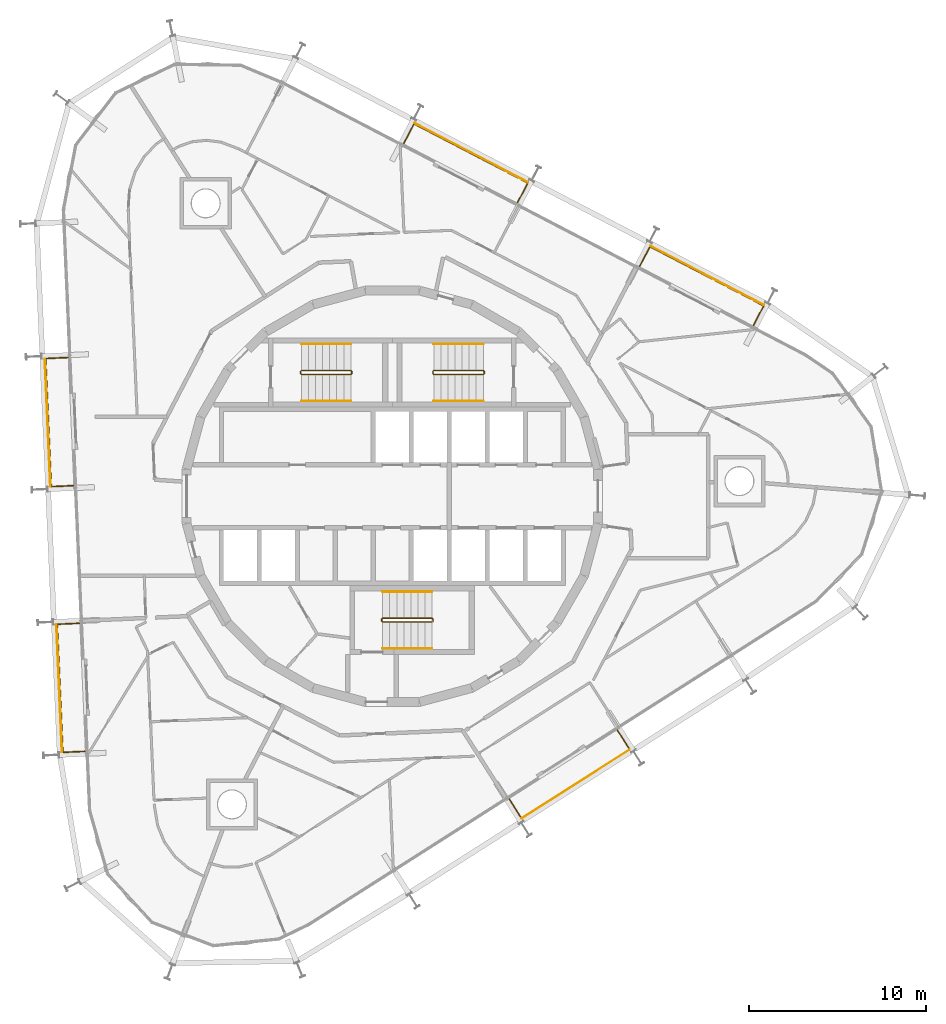
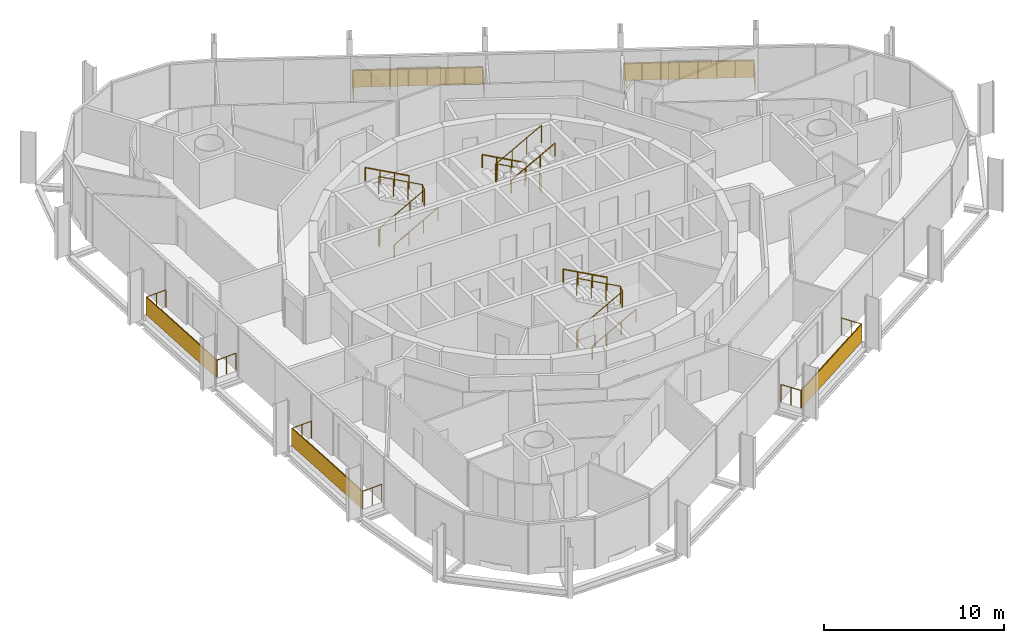
# One storey, part 18 of 18: 14 railings, 5 shading devices.
"""IFC4 building model written with IfcOpenShell, lengths in metres."""

from ifc_helpers import new_model, si_unit, direction, frame, origin, origin_2d, place, context, subcontext, project, spatial, rectangle, circle, extrude, material, layer, layer_set, type_object, element, save


model = new_model("IFC4")

# Units and contexts
model_context = context("Model", 3, precision=1e-05, world=origin(), true_north=direction((0.0, 1.0)))
body_context = subcontext(model_context, "Body", "Model", "MODEL_VIEW")
ifc_project = project(units=[si_unit("LENGTHUNIT", "METRE"), si_unit("AREAUNIT", "SQUARE_METRE"), si_unit("VOLUMEUNIT", "CUBIC_METRE"), si_unit("PLANEANGLEUNIT", "RADIAN"), si_unit("MASSUNIT", "GRAM", prefix="KILO")], contexts=[model_context])

# Site, building, storey
site_placement = place(None, origin())
site = spatial("IfcSite", under=ifc_project, at=site_placement, CompositionType="ELEMENT")
building_placement = place(site_placement, origin())
building = spatial("IfcBuilding", under=site, at=building_placement, Name="Spindle Arch Residences", CompositionType="ELEMENT")
storey_placement = place(building_placement, frame((0.0, 0.0, 251.199951171875)))
storey = spatial("IfcBuildingStorey", under=building, at=storey_placement, Name="L64", CompositionType="ELEMENT", Elevation=251.199951171875)

# Railings
ifc_material_1 = material(Name="Bronze anodised aluminium guard with glass infill", Category="aluminium")
railing_type_1 = type_object("IfcRailingType", Name="Balcony guard 1200", PredefinedType="GUARDRAIL", material=ifc_material_1)
railing_1_placement = place(storey_placement, frame((20.4482421875, 9.675537109375, 0.0)))
element("IfcRailing", 1, at=railing_1_placement, inside=storey, type_object=railing_type_1, Name="Guard L64 bay 6", PredefinedType="GUARDRAIL", context=body_context, shape_type="SweptSolid", body=[
    extrude(circle(Radius=0.02392578125, at=origin_2d()), frame((0.0, 0.0, 1.17578125), z_axis=(0.461684760331, 0.887044069975, 0.0), x_axis=(-0.887044069975, 0.461684760331, 0.0)), (0.0, 0.0, 1.0), 1.25),
    extrude(circle(Radius=0.02392578125, at=origin_2d()), frame((0.5771484375, 1.10888671875, 1.17578125), z_axis=(-0.887010793131, 0.461748690165, 0.0), x_axis=(-0.461748690165, -0.887010793131, 0.0)), (0.0, 0.0, 1.0), 7.260009765625),
    extrude(circle(Radius=0.02392578125, at=origin_2d()), frame((-5.862548828125, 4.461181640625, 1.17578125), z_axis=(-0.461764753675, -0.887002430811, 0.0), x_axis=(0.887002430811, -0.461764753675, 0.0)), (0.0, 0.0, 1.0), 1.249755859375),
    extrude(circle(Radius=0.02099609375, at=origin_2d()), origin(), (0.0, 0.0, 1.0), 1.15185546875),
    extrude(circle(Radius=0.02099609375, at=origin_2d()), frame((0.28857421875, 0.554443359375, 0.0)), (0.0, 0.0, 1.0), 1.15185546875),
    extrude(circle(Radius=0.02099609375, at=origin_2d()), frame((0.5771484375, 1.10888671875, 0.0)), (0.0, 0.0, 1.0), 1.15185546875),
    extrude(circle(Radius=0.02099609375, at=origin_2d()), frame((-0.3427734375, 1.587890625, 0.0)), (0.0, 0.0, 1.0), 1.15185546875),
    extrude(circle(Radius=0.02099609375, at=origin_2d()), frame((-1.2626953125, 2.066650390625, 0.0)), (0.0, 0.0, 1.0), 1.15185546875),
    extrude(circle(Radius=0.02099609375, at=origin_2d()), frame((-2.1826171875, 2.545654296875, 0.0)), (0.0, 0.0, 1.0), 1.15185546875),
    extrude(circle(Radius=0.02099609375, at=origin_2d()), frame((-3.102783203125, 3.0244140625, 0.0)), (0.0, 0.0, 1.0), 1.15185546875),
    extrude(circle(Radius=0.02099609375, at=origin_2d()), frame((-4.022705078125, 3.50341796875, 0.0)), (0.0, 0.0, 1.0), 1.15185546875),
    extrude(circle(Radius=0.02099609375, at=origin_2d()), frame((-4.942626953125, 3.982177734375, 0.0)), (0.0, 0.0, 1.0), 1.15185546875),
    extrude(circle(Radius=0.02099609375, at=origin_2d()), frame((-5.862548828125, 4.461181640625, 0.0)), (0.0, 0.0, 1.0), 1.15185546875),
    extrude(circle(Radius=0.02099609375, at=origin_2d()), frame((-6.151123046875, 3.90673828125, 0.0)), (0.0, 0.0, 1.0), 1.15185546875),
    extrude(circle(Radius=0.02099609375, at=origin_2d()), frame((-6.439697265625, 3.3525390625, 0.0)), (0.0, 0.0, 1.0), 1.15185546875),
])
railing_2_placement = place(storey_placement, frame((7.08984375, 16.629638671875, 0.0)))
element("IfcRailing", 2, at=railing_2_placement, inside=storey, type_object=railing_type_1, Name="Guard L64 bay 8", PredefinedType="GUARDRAIL", context=body_context, shape_type="SweptSolid", body=[
    extrude(circle(Radius=0.02392578125, at=origin_2d()), frame((0.0, 0.0, 1.17578125), z_axis=(0.461764753675, 0.887002430811, 0.0), x_axis=(-0.887002430811, 0.461764753675, 0.0)), (0.0, 0.0, 1.0), 1.249755859375),
    extrude(circle(Radius=0.02392578125, at=origin_2d()), frame((0.5771484375, 1.108642578125, 1.17578125), z_axis=(-0.886997019648, 0.461775147811, 0.0), x_axis=(-0.461775147811, -0.886997019648, 0.0)), (0.0, 0.0, 1.0), 7.260009765625),
    extrude(circle(Radius=0.02392578125, at=origin_2d()), frame((-5.862548828125, 4.461181640625, 1.17578125), z_axis=(-0.461838409324, -0.886964082516, 0.0), x_axis=(0.886964082516, -0.461838409324, 0.0)), (0.0, 0.0, 1.0), 1.250244140625),
    extrude(circle(Radius=0.02099609375, at=origin_2d()), origin(), (0.0, 0.0, 1.0), 1.15185546875),
    extrude(circle(Radius=0.02099609375, at=origin_2d()), frame((0.28857421875, 0.55419921875, 0.0)), (0.0, 0.0, 1.0), 1.15185546875),
    extrude(circle(Radius=0.02099609375, at=origin_2d()), frame((0.5771484375, 1.108642578125, 0.0)), (0.0, 0.0, 1.0), 1.15185546875),
    extrude(circle(Radius=0.02099609375, at=origin_2d()), frame((-0.3427734375, 1.587646484375, 0.0)), (0.0, 0.0, 1.0), 1.15185546875),
    extrude(circle(Radius=0.02099609375, at=origin_2d()), frame((-1.2626953125, 2.06640625, 0.0)), (0.0, 0.0, 1.0), 1.15185546875),
    extrude(circle(Radius=0.02099609375, at=origin_2d()), frame((-2.1826171875, 2.54541015625, 0.0)), (0.0, 0.0, 1.0), 1.15185546875),
    extrude(circle(Radius=0.02099609375, at=origin_2d()), frame((-3.102783203125, 3.0244140625, 0.0)), (0.0, 0.0, 1.0), 1.15185546875),
    extrude(circle(Radius=0.02099609375, at=origin_2d()), frame((-4.022705078125, 3.50341796875, 0.0)), (0.0, 0.0, 1.0), 1.15185546875),
    extrude(circle(Radius=0.02099609375, at=origin_2d()), frame((-4.942626953125, 3.982177734375, 0.0)), (0.0, 0.0, 1.0), 1.15185546875),
    extrude(circle(Radius=0.02099609375, at=origin_2d()), frame((-5.862548828125, 4.461181640625, 0.0)), (0.0, 0.0, 1.0), 1.15185546875),
    extrude(circle(Radius=0.02099609375, at=origin_2d()), frame((-6.1513671875, 3.90673828125, 0.0)), (0.0, 0.0, 1.0), 1.15185546875),
    extrude(circle(Radius=0.02099609375, at=origin_2d()), frame((-6.43994140625, 3.352294921875, 0.0)), (0.0, 0.0, 1.0), 1.15185546875),
])
railing_3_placement = place(storey_placement, frame((-18.384521484375, 7.855712890625, 0.0)))
element("IfcRailing", 3, at=railing_3_placement, inside=storey, type_object=railing_type_1, Name="Guard L64 bay 14", PredefinedType="GUARDRAIL", context=body_context, shape_type="SweptSolid", body=[
    extrude(circle(Radius=0.02392578125, at=origin_2d()), frame((0.0, 0.0, 1.17578125), z_axis=(-0.999042473849, -0.043750833654, 0.0), x_axis=(0.043750833654, -0.999042473849, 0.0)), (0.0, 0.0, 1.0), 1.25),
    extrude(circle(Radius=0.02392578125, at=origin_2d()), frame((-1.248779296875, -0.0546875, 1.17578125), z_axis=(0.043615260597, -0.999048401752, 0.0), x_axis=(0.999048401752, 0.043615260597, 0.0)), (0.0, 0.0, 1.0), 7.260009765625),
    extrude(circle(Radius=0.02392578125, at=origin_2d()), frame((-0.93212890625, -7.307861328125, 1.17578125), z_axis=(0.999042473849, 0.043750833654, 0.0), x_axis=(-0.043750833654, 0.999042473849, 0.0)), (0.0, 0.0, 1.0), 1.25),
    extrude(circle(Radius=0.02099609375, at=origin_2d()), origin(), (0.0, 0.0, 1.0), 1.15185546875),
    extrude(circle(Radius=0.02099609375, at=origin_2d()), frame((-0.62451171875, -0.02734375, 0.0)), (0.0, 0.0, 1.0), 1.15185546875),
    extrude(circle(Radius=0.02099609375, at=origin_2d()), frame((-1.248779296875, -0.0546875, 0.0)), (0.0, 0.0, 1.0), 1.15185546875),
    extrude(circle(Radius=0.02099609375, at=origin_2d()), frame((-1.20361328125, -1.0908203125, 0.0)), (0.0, 0.0, 1.0), 1.15185546875),
    extrude(circle(Radius=0.02099609375, at=origin_2d()), frame((-1.158203125, -2.126953125, 0.0)), (0.0, 0.0, 1.0), 1.15185546875),
    extrude(circle(Radius=0.02099609375, at=origin_2d()), frame((-1.113037109375, -3.1630859375, 0.0)), (0.0, 0.0, 1.0), 1.15185546875),
    extrude(circle(Radius=0.02099609375, at=origin_2d()), frame((-1.06787109375, -4.199462890625, 0.0)), (0.0, 0.0, 1.0), 1.15185546875),
    extrude(circle(Radius=0.02099609375, at=origin_2d()), frame((-1.022705078125, -5.235595703125, 0.0)), (0.0, 0.0, 1.0), 1.15185546875),
    extrude(circle(Radius=0.02099609375, at=origin_2d()), frame((-0.977294921875, -6.271728515625, 0.0)), (0.0, 0.0, 1.0), 1.15185546875),
    extrude(circle(Radius=0.02099609375, at=origin_2d()), frame((-0.93212890625, -7.307861328125, 0.0)), (0.0, 0.0, 1.0), 1.15185546875),
    extrude(circle(Radius=0.02099609375, at=origin_2d()), frame((-0.3076171875, -7.280517578125, 0.0)), (0.0, 0.0, 1.0), 1.15185546875),
    extrude(circle(Radius=0.02099609375, at=origin_2d()), frame((0.316650390625, -7.253173828125, 0.0)), (0.0, 0.0, 1.0), 1.15185546875),
])
railing_4_placement = place(storey_placement, frame((-17.7275390625, -7.190185546875, 0.0)))
element("IfcRailing", 4, at=railing_4_placement, inside=storey, type_object=railing_type_1, Name="Guard L64 bay 16", PredefinedType="GUARDRAIL", context=body_context, shape_type="SweptSolid", body=[
    extrude(circle(Radius=0.02392578125, at=origin_2d()), frame((0.0, 0.0, 1.17578125), z_axis=(-0.999050991967, -0.043555888799, 0.0), x_axis=(0.043555888799, -0.999050991967, 0.0)), (0.0, 0.0, 1.0), 1.25),
    extrude(circle(Radius=0.02392578125, at=origin_2d()), frame((-1.248779296875, -0.054443359375, 1.17578125), z_axis=(0.043615260597, -0.999048401752, 0.0), x_axis=(0.999048401752, 0.043615260597, 0.0)), (0.0, 0.0, 1.0), 7.260009765625),
    extrude(circle(Radius=0.02392578125, at=origin_2d()), frame((-0.93212890625, -7.3076171875, 1.17578125), z_axis=(0.999050991967, 0.043555888799, 0.0), x_axis=(-0.043555888799, 0.999050991967, 0.0)), (0.0, 0.0, 1.0), 1.25),
    extrude(circle(Radius=0.02099609375, at=origin_2d()), origin(), (0.0, 0.0, 1.0), 1.15185546875),
    extrude(circle(Radius=0.02099609375, at=origin_2d()), frame((-0.62451171875, -0.02734375, 0.0)), (0.0, 0.0, 1.0), 1.15185546875),
    extrude(circle(Radius=0.02099609375, at=origin_2d()), frame((-1.248779296875, -0.054443359375, 0.0)), (0.0, 0.0, 1.0), 1.15185546875),
    extrude(circle(Radius=0.02099609375, at=origin_2d()), frame((-1.20361328125, -1.090576171875, 0.0)), (0.0, 0.0, 1.0), 1.15185546875),
    extrude(circle(Radius=0.02099609375, at=origin_2d()), frame((-1.158203125, -2.126708984375, 0.0)), (0.0, 0.0, 1.0), 1.15185546875),
    extrude(circle(Radius=0.02099609375, at=origin_2d()), frame((-1.113037109375, -3.162841796875, 0.0)), (0.0, 0.0, 1.0), 1.15185546875),
    extrude(circle(Radius=0.02099609375, at=origin_2d()), frame((-1.06787109375, -4.19921875, 0.0)), (0.0, 0.0, 1.0), 1.15185546875),
    extrude(circle(Radius=0.02099609375, at=origin_2d()), frame((-1.022705078125, -5.2353515625, 0.0)), (0.0, 0.0, 1.0), 1.15185546875),
    extrude(circle(Radius=0.02099609375, at=origin_2d()), frame((-0.977294921875, -6.271484375, 0.0)), (0.0, 0.0, 1.0), 1.15185546875),
    extrude(circle(Radius=0.02099609375, at=origin_2d()), frame((-0.93212890625, -7.3076171875, 0.0)), (0.0, 0.0, 1.0), 1.15185546875),
    extrude(circle(Radius=0.02099609375, at=origin_2d()), frame((-0.3076171875, -7.2802734375, 0.0)), (0.0, 0.0, 1.0), 1.15185546875),
    extrude(circle(Radius=0.02099609375, at=origin_2d()), frame((0.316650390625, -7.253173828125, 0.0)), (0.0, 0.0, 1.0), 1.15185546875),
])
railing_5_placement = place(storey_placement, frame((6.623046875, -17.152099609375, 0.0)))
element("IfcRailing", 5, at=railing_5_placement, inside=storey, type_object=railing_type_1, Name="Guard L64 bay 22", PredefinedType="GUARDRAIL", context=body_context, shape_type="SweptSolid", body=[
    extrude(circle(Radius=0.02392578125, at=origin_2d()), frame((0.0, 0.0, 1.17578125), z_axis=(0.537317754526, -0.843379885148, 0.0), x_axis=(0.843379885148, 0.537317754526, 0.0)), (0.0, 0.0, 1.0), 1.25),
    extrude(circle(Radius=0.02392578125, at=origin_2d()), frame((0.671630859375, -1.05419921875, 1.17578125), z_axis=(0.843387211604, 0.537306254665, 0.0), x_axis=(-0.537306254665, 0.843387211604, 0.0)), (0.0, 0.0, 1.0), 7.260009765625),
    extrude(circle(Radius=0.02392578125, at=origin_2d()), frame((6.794677734375, 2.8466796875, 1.17578125), z_axis=(-0.537317754526, 0.843379885148, 0.0), x_axis=(-0.843379885148, -0.537317754526, 0.0)), (0.0, 0.0, 1.0), 1.25),
    extrude(circle(Radius=0.02099609375, at=origin_2d()), origin(), (0.0, 0.0, 1.0), 1.15185546875),
    extrude(circle(Radius=0.02099609375, at=origin_2d()), frame((0.3359375, -0.527099609375, 0.0)), (0.0, 0.0, 1.0), 1.15185546875),
    extrude(circle(Radius=0.02099609375, at=origin_2d()), frame((0.671630859375, -1.05419921875, 0.0)), (0.0, 0.0, 1.0), 1.15185546875),
    extrude(circle(Radius=0.02099609375, at=origin_2d()), frame((1.54638671875, -0.496826171875, 0.0)), (0.0, 0.0, 1.0), 1.15185546875),
    extrude(circle(Radius=0.02099609375, at=origin_2d()), frame((2.421142578125, 0.060302734375, 0.0)), (0.0, 0.0, 1.0), 1.15185546875),
    extrude(circle(Radius=0.02099609375, at=origin_2d()), frame((3.2958984375, 0.61767578125, 0.0)), (0.0, 0.0, 1.0), 1.15185546875),
    extrude(circle(Radius=0.02099609375, at=origin_2d()), frame((4.17041015625, 1.1748046875, 0.0)), (0.0, 0.0, 1.0), 1.15185546875),
    extrude(circle(Radius=0.02099609375, at=origin_2d()), frame((5.045166015625, 1.732177734375, 0.0)), (0.0, 0.0, 1.0), 1.15185546875),
    extrude(circle(Radius=0.02099609375, at=origin_2d()), frame((5.919921875, 2.289306640625, 0.0)), (0.0, 0.0, 1.0), 1.15185546875),
    extrude(circle(Radius=0.02099609375, at=origin_2d()), frame((6.794677734375, 2.8466796875, 0.0)), (0.0, 0.0, 1.0), 1.15185546875),
    extrude(circle(Radius=0.02099609375, at=origin_2d()), frame((6.458984375, 3.373779296875, 0.0)), (0.0, 0.0, 1.0), 1.15185546875),
    extrude(circle(Radius=0.02099609375, at=origin_2d()), frame((6.123046875, 3.90087890625, 0.0)), (0.0, 0.0, 1.0), 1.15185546875),
])

# Shading devices
ifc_material_2 = material(Name="Bronze perforated cobogo screen")
ifc_layer = layer(ifc_material_2, 0.0390625)
ifc_layer_set = layer_set([ifc_layer], Name="Cobogo screen 1200")
shading_device_type = type_object("IfcShadingDeviceType", Name="Cobogo screen 1200", PredefinedType="USERDEFINED", material=ifc_layer_set)
for number, where, z_axis, x_axis, name in (
    (6, (17.82421875, 12.49658203125, 0.0), (0.0, 0.0, 1.0), (-0.887010833178, 0.461748613235, 0.0), "Cobogo screen L64 bay 6"),
    (7, (4.4658203125, 19.450439453125, 0.0), (0.0, 0.0, 1.0), (-0.887010833178, 0.461748613235, 0.0), "Cobogo screen L64 bay 8"),
    (8, (-19.515380859375, 4.1728515625, 0.0), (0.0, 0.0, 1.0), (0.043619387365, -0.999048221582, 0.0), "Cobogo screen L64 bay 14"),
    (9, (-18.858642578125, -10.873046875, 0.0), (0.0, 0.0, 1.0), (0.043619387365, -0.999048221582, 0.0), "Cobogo screen L64 bay 16"),
    (10, (10.3779296875, -16.2900390625, 0.0), (0.0, 0.0, 1.0), (0.843391445813, 0.537299608347, 0.0), "Cobogo screen L64 bay 22"),
):
    element("IfcShadingDevice", number, at=place(storey_placement, frame(where, z_axis=z_axis, x_axis=x_axis)), inside=storey, type_object=shading_device_type, Name=name, ObjectType="SCREEN", PredefinedType="USERDEFINED", context=body_context, shape_type="SweptSolid", body=[
        extrude(rectangle(XDim=7.260009765625, YDim=0.0390625, at=origin_2d()), origin(), (0.0, 0.0, 1.0), 1.199951171875),
    ])

# Railings
ifc_material_3 = material(Name="Steel, painted", Category="steel")
railing_type_2 = type_object("IfcRailingType", Name="Stair guard 1100", PredefinedType="GUARDRAIL", material=ifc_material_3)
railing_6_placement = place(storey_placement, frame((5.14990234375, 6.89990234375, 3.5)))
element("IfcRailing", 11, at=railing_6_placement, inside=storey, type_object=railing_type_2, Name="L64 ST1 stair guard 1", PredefinedType="GUARDRAIL", context=body_context, shape_type="SweptSolid", body=[
    extrude(circle(Radius=0.02392578125, at=origin_2d()), frame((0.0, 0.0, 1.17578125), z_axis=(-0.877357048833, 0.0, -0.479838106931), x_axis=(0.0, -1.0, 0.0)), (0.0, 0.0, 1.0), 3.191162109375),
    extrude(circle(Radius=0.02392578125, at=origin_2d()), frame((-2.7998046875, 0.0, -0.35546875), z_axis=(-0.217683172539, 0.217683172539, -0.951434744366), x_axis=(-0.707106781187, -0.707106781187, 0.0)), (0.0, 0.0, 1.0), 0.22998046875),
    extrude(circle(Radius=0.02392578125, at=origin_2d()), frame((-2.849853515625, 0.050048828125, -0.57421875), z_axis=(0.0, 1.0, 0.0), x_axis=(-1.0, 0.0, 0.0)), (0.0, 0.0, 1.0), 0.1201171875),
    extrude(circle(Radius=0.02392578125, at=origin_2d()), frame((-2.849853515625, 0.170166015625, -0.57421875), z_axis=(0.707106781187, 0.707106781187, 0.0), x_axis=(-0.707106781187, 0.707106781187, 0.0)), (0.0, 0.0, 1.0), 0.07080078125),
    extrude(circle(Radius=0.02392578125, at=origin_2d()), frame((-2.7998046875, 0.22021484375, -0.57421875), z_axis=(0.877357048833, 0.0, -0.479838106931), x_axis=(0.0, 1.0, 0.0)), (0.0, 0.0, 1.0), 3.191162109375),
    extrude(circle(Radius=0.02392578125, at=origin_2d()), frame((0.0, 0.22021484375, -2.10546875), z_axis=(0.217683172539, -0.217683172539, -0.951434744366), x_axis=(0.707106781187, 0.707106781187, 0.0)), (0.0, 0.0, 1.0), 0.22998046875),
    extrude(circle(Radius=0.02392578125, at=origin_2d()), frame((0.050048828125, 0.170166015625, -2.32421875), z_axis=(0.0, -1.0, 0.0), x_axis=(1.0, 0.0, 0.0)), (0.0, 0.0, 1.0), 0.1201171875),
    extrude(circle(Radius=0.02099609375, at=origin_2d()), origin(), (0.0, 0.0, 1.0), 1.15185546875),
    extrude(circle(Radius=0.02099609375, at=origin_2d()), frame((-0.933349609375, 0.0, -0.510498046875)), (0.0, 0.0, 1.0), 1.15185546875),
    extrude(circle(Radius=0.02099609375, at=origin_2d()), frame((-1.866455078125, 0.0, -1.020751953125)), (0.0, 0.0, 1.0), 1.15185546875),
    extrude(circle(Radius=0.02099609375, at=origin_2d()), frame((-2.7998046875, 0.0, -1.53125)), (0.0, 0.0, 1.0), 1.15185546875),
    extrude(circle(Radius=0.02099609375, at=origin_2d()), frame((-2.849853515625, 0.050048828125, -1.75)), (0.0, 0.0, 1.0), 1.15185546875),
    extrude(circle(Radius=0.02099609375, at=origin_2d()), frame((-2.849853515625, 0.170166015625, -1.75)), (0.0, 0.0, 1.0), 1.15185546875),
    extrude(circle(Radius=0.02099609375, at=origin_2d()), frame((-2.7998046875, 0.22021484375, -1.75)), (0.0, 0.0, 1.0), 1.15185546875),
    extrude(circle(Radius=0.02099609375, at=origin_2d()), frame((-1.866455078125, 0.22021484375, -2.260498046875)), (0.0, 0.0, 1.0), 1.15185546875),
    extrude(circle(Radius=0.02099609375, at=origin_2d()), frame((-0.933349609375, 0.22021484375, -2.770751953125)), (0.0, 0.0, 1.0), 1.15185546875),
    extrude(circle(Radius=0.02099609375, at=origin_2d()), frame((0.0, 0.22021484375, -3.28125)), (0.0, 0.0, 1.0), 1.15185546875),
    extrude(circle(Radius=0.02099609375, at=origin_2d()), frame((0.050048828125, 0.170166015625, -3.5)), (0.0, 0.0, 1.0), 1.15185546875),
    extrude(circle(Radius=0.02099609375, at=origin_2d()), frame((0.050048828125, 0.050048828125, -3.5)), (0.0, 0.0, 1.0), 1.15185546875),
])
railing_7_placement = place(storey_placement, frame((-5.14990234375, 7.1201171875, 3.5)))
element("IfcRailing", 12, at=railing_7_placement, inside=storey, type_object=railing_type_2, Name="L64 ST2 stair guard 1", PredefinedType="GUARDRAIL", context=body_context, shape_type="SweptSolid", body=[
    extrude(circle(Radius=0.02392578125, at=origin_2d()), frame((0.0, 0.0, 1.17578125), z_axis=(0.877357048833, 0.0, -0.479838106931), x_axis=(0.0, 1.0, 0.0)), (0.0, 0.0, 1.0), 3.191162109375),
    extrude(circle(Radius=0.02392578125, at=origin_2d()), frame((2.7998046875, 0.0, -0.35546875), z_axis=(0.217683172539, -0.217683172539, -0.951434744366), x_axis=(0.707106781187, 0.707106781187, 0.0)), (0.0, 0.0, 1.0), 0.22998046875),
    extrude(circle(Radius=0.02392578125, at=origin_2d()), frame((2.849853515625, -0.050048828125, -0.57421875), z_axis=(0.0, -1.0, 0.0), x_axis=(1.0, 0.0, 0.0)), (0.0, 0.0, 1.0), 0.1201171875),
    extrude(circle(Radius=0.02392578125, at=origin_2d()), frame((2.849853515625, -0.170166015625, -0.57421875), z_axis=(-0.707106781187, -0.707106781187, 0.0), x_axis=(0.707106781187, -0.707106781187, 0.0)), (0.0, 0.0, 1.0), 0.07080078125),
    extrude(circle(Radius=0.02392578125, at=origin_2d()), frame((2.7998046875, -0.22021484375, -0.57421875), z_axis=(-0.877357048833, 0.0, -0.479838106931), x_axis=(0.0, -1.0, 0.0)), (0.0, 0.0, 1.0), 3.191162109375),
    extrude(circle(Radius=0.02392578125, at=origin_2d()), frame((0.0, -0.22021484375, -2.10546875), z_axis=(-0.217683172539, 0.217683172539, -0.951434744366), x_axis=(-0.707106781187, -0.707106781187, 0.0)), (0.0, 0.0, 1.0), 0.22998046875),
    extrude(circle(Radius=0.02392578125, at=origin_2d()), frame((-0.050048828125, -0.170166015625, -2.32421875), z_axis=(0.0, 1.0, 0.0), x_axis=(-1.0, 0.0, 0.0)), (0.0, 0.0, 1.0), 0.1201171875),
    extrude(circle(Radius=0.02099609375, at=origin_2d()), origin(), (0.0, 0.0, 1.0), 1.15185546875),
    extrude(circle(Radius=0.02099609375, at=origin_2d()), frame((0.933349609375, 0.0, -0.510498046875)), (0.0, 0.0, 1.0), 1.15185546875),
    extrude(circle(Radius=0.02099609375, at=origin_2d()), frame((1.866455078125, 0.0, -1.020751953125)), (0.0, 0.0, 1.0), 1.15185546875),
    extrude(circle(Radius=0.02099609375, at=origin_2d()), frame((2.7998046875, 0.0, -1.53125)), (0.0, 0.0, 1.0), 1.15185546875),
    extrude(circle(Radius=0.02099609375, at=origin_2d()), frame((2.849853515625, -0.050048828125, -1.75)), (0.0, 0.0, 1.0), 1.15185546875),
    extrude(circle(Radius=0.02099609375, at=origin_2d()), frame((2.849853515625, -0.170166015625, -1.75)), (0.0, 0.0, 1.0), 1.15185546875),
    extrude(circle(Radius=0.02099609375, at=origin_2d()), frame((2.7998046875, -0.22021484375, -1.75)), (0.0, 0.0, 1.0), 1.15185546875),
    extrude(circle(Radius=0.02099609375, at=origin_2d()), frame((1.866455078125, -0.22021484375, -2.260498046875)), (0.0, 0.0, 1.0), 1.15185546875),
    extrude(circle(Radius=0.02099609375, at=origin_2d()), frame((0.933349609375, -0.22021484375, -2.770751953125)), (0.0, 0.0, 1.0), 1.15185546875),
    extrude(circle(Radius=0.02099609375, at=origin_2d()), frame((0.0, -0.22021484375, -3.28125)), (0.0, 0.0, 1.0), 1.15185546875),
    extrude(circle(Radius=0.02099609375, at=origin_2d()), frame((-0.050048828125, -0.170166015625, -3.5)), (0.0, 0.0, 1.0), 1.15185546875),
    extrude(circle(Radius=0.02099609375, at=origin_2d()), frame((-0.050048828125, -0.050048828125, -3.5)), (0.0, 0.0, 1.0), 1.15185546875),
])
railing_8_placement = place(storey_placement, frame((-0.550048828125, -6.89990234375, 3.5)))
element("IfcRailing", 13, at=railing_8_placement, inside=storey, type_object=railing_type_2, Name="L64 ST3 stair guard 1", PredefinedType="GUARDRAIL", context=body_context, shape_type="SweptSolid", body=[
    extrude(circle(Radius=0.02392578125, at=origin_2d()), frame((0.0, 0.0, 1.17578125), z_axis=(0.877374661878, 0.0, -0.479805901063), x_axis=(0.0, 1.0, 0.0)), (0.0, 0.0, 1.0), 3.19140625),
    extrude(circle(Radius=0.02392578125, at=origin_2d()), frame((2.800048828125, 0.0, -0.35546875), z_axis=(0.217683172539, -0.217683172539, -0.951434744366), x_axis=(0.707106781187, 0.707106781187, 0.0)), (0.0, 0.0, 1.0), 0.22998046875),
    extrude(circle(Radius=0.02392578125, at=origin_2d()), frame((2.85009765625, -0.050048828125, -0.57421875), z_axis=(0.0, -1.0, 0.0), x_axis=(1.0, 0.0, 0.0)), (0.0, 0.0, 1.0), 0.1201171875),
    extrude(circle(Radius=0.02392578125, at=origin_2d()), frame((2.85009765625, -0.170166015625, -0.57421875), z_axis=(-0.707106781187, -0.707106781187, 0.0), x_axis=(0.707106781187, -0.707106781187, 0.0)), (0.0, 0.0, 1.0), 0.07080078125),
    extrude(circle(Radius=0.02392578125, at=origin_2d()), frame((2.800048828125, -0.22021484375, -0.57421875), z_axis=(-0.877374661878, 0.0, -0.479805901063), x_axis=(0.0, -1.0, 0.0)), (0.0, 0.0, 1.0), 3.19140625),
    extrude(circle(Radius=0.02392578125, at=origin_2d()), frame((0.0, -0.22021484375, -2.10546875), z_axis=(-0.217683172539, 0.217683172539, -0.951434744366), x_axis=(-0.707106781187, -0.707106781187, 0.0)), (0.0, 0.0, 1.0), 0.22998046875),
    extrude(circle(Radius=0.02392578125, at=origin_2d()), frame((-0.050048828125, -0.170166015625, -2.32421875), z_axis=(0.0, 1.0, 0.0), x_axis=(-1.0, 0.0, 0.0)), (0.0, 0.0, 1.0), 0.1201171875),
    extrude(circle(Radius=0.02099609375, at=origin_2d()), origin(), (0.0, 0.0, 1.0), 1.15185546875),
    extrude(circle(Radius=0.02099609375, at=origin_2d()), frame((0.933349609375, 0.0, -0.510498046875)), (0.0, 0.0, 1.0), 1.15185546875),
    extrude(circle(Radius=0.02099609375, at=origin_2d()), frame((1.86669921875, 0.0, -1.020751953125)), (0.0, 0.0, 1.0), 1.15185546875),
    extrude(circle(Radius=0.02099609375, at=origin_2d()), frame((2.800048828125, 0.0, -1.53125)), (0.0, 0.0, 1.0), 1.15185546875),
    extrude(circle(Radius=0.02099609375, at=origin_2d()), frame((2.85009765625, -0.050048828125, -1.75)), (0.0, 0.0, 1.0), 1.15185546875),
    extrude(circle(Radius=0.02099609375, at=origin_2d()), frame((2.85009765625, -0.170166015625, -1.75)), (0.0, 0.0, 1.0), 1.15185546875),
    extrude(circle(Radius=0.02099609375, at=origin_2d()), frame((2.800048828125, -0.22021484375, -1.75)), (0.0, 0.0, 1.0), 1.15185546875),
    extrude(circle(Radius=0.02099609375, at=origin_2d()), frame((1.86669921875, -0.22021484375, -2.260498046875)), (0.0, 0.0, 1.0), 1.15185546875),
    extrude(circle(Radius=0.02099609375, at=origin_2d()), frame((0.933349609375, -0.22021484375, -2.770751953125)), (0.0, 0.0, 1.0), 1.15185546875),
    extrude(circle(Radius=0.02099609375, at=origin_2d()), frame((0.0, -0.22021484375, -3.28125)), (0.0, 0.0, 1.0), 1.15185546875),
    extrude(circle(Radius=0.02099609375, at=origin_2d()), frame((-0.050048828125, -0.170166015625, -3.5)), (0.0, 0.0, 1.0), 1.15185546875),
    extrude(circle(Radius=0.02099609375, at=origin_2d()), frame((-0.050048828125, -0.050048828125, -3.5)), (0.0, 0.0, 1.0), 1.15185546875),
])
ifc_material_4 = material(Name="Steel, painted", Category="steel")
railing_type_3 = type_object("IfcRailingType", Name="Stair handrail 900", PredefinedType="HANDRAIL", material=ifc_material_4)
railing_9_placement = place(storey_placement, frame((5.14990234375, 8.6201171875, 0.21875)))
element("IfcRailing", 14, at=railing_9_placement, inside=storey, type_object=railing_type_3, Name="L64 ST1 stair handrail 1", PredefinedType="HANDRAIL", context=body_context, shape_type="SweptSolid", body=[
    extrude(circle(Radius=0.02392578125, at=origin_2d()), frame((0.0, 0.0, 0.8759765625), z_axis=(-0.877357048833, 0.0, 0.479838106931), x_axis=(0.0, -1.0, 0.0)), (0.0, 0.0, 1.0), 3.191162109375),
    extrude(circle(Radius=0.02099609375, at=origin_2d()), origin(), (0.0, 0.0, 1.0), 0.851806640625),
    extrude(circle(Radius=0.02099609375, at=origin_2d()), frame((-0.933349609375, 0.0, 0.510498046875)), (0.0, 0.0, 1.0), 0.851806640625),
    extrude(circle(Radius=0.02099609375, at=origin_2d()), frame((-1.866455078125, 0.0, 1.020751953125)), (0.0, 0.0, 1.0), 0.851806640625),
    extrude(circle(Radius=0.02099609375, at=origin_2d()), frame((-2.7998046875, 0.0, 1.53125)), (0.0, 0.0, 1.0), 0.851806640625),
])
for number, where, name in (
    (15, (2.35009765625, 5.39990234375, 1.96875), "L64 ST1 stair handrail 2"),
    (16, (-5.14990234375, 5.39990234375, 0.21875), "L64 ST2 stair handrail 1"),
):
    element("IfcRailing", number, at=place(storey_placement, frame(where)), inside=storey, type_object=railing_type_3, Name=name, PredefinedType="HANDRAIL", context=body_context, shape_type="SweptSolid", body=[
        extrude(circle(Radius=0.02392578125, at=origin_2d()), frame((0.0, 0.0, 0.8759765625), z_axis=(0.877357048833, 0.0, 0.479838106931), x_axis=(0.0, 1.0, 0.0)), (0.0, 0.0, 1.0), 3.191162109375),
        extrude(circle(Radius=0.02099609375, at=origin_2d()), origin(), (0.0, 0.0, 1.0), 0.851806640625),
        extrude(circle(Radius=0.02099609375, at=origin_2d()), frame((0.933349609375, 0.0, 0.510498046875)), (0.0, 0.0, 1.0), 0.851806640625),
        extrude(circle(Radius=0.02099609375, at=origin_2d()), frame((1.866455078125, 0.0, 1.020751953125)), (0.0, 0.0, 1.0), 0.851806640625),
        extrude(circle(Radius=0.02099609375, at=origin_2d()), frame((2.7998046875, 0.0, 1.53125)), (0.0, 0.0, 1.0), 0.851806640625),
    ])
railing_10_placement = place(storey_placement, frame((-2.35009765625, 8.6201171875, 1.96875)))
element("IfcRailing", 17, at=railing_10_placement, inside=storey, type_object=railing_type_3, Name="L64 ST2 stair handrail 2", PredefinedType="HANDRAIL", context=body_context, shape_type="SweptSolid", body=[
    extrude(circle(Radius=0.02392578125, at=origin_2d()), frame((0.0, 0.0, 0.8759765625), z_axis=(-0.877357048833, 0.0, 0.479838106931), x_axis=(0.0, -1.0, 0.0)), (0.0, 0.0, 1.0), 3.191162109375),
    extrude(circle(Radius=0.02099609375, at=origin_2d()), origin(), (0.0, 0.0, 1.0), 0.851806640625),
    extrude(circle(Radius=0.02099609375, at=origin_2d()), frame((-0.933349609375, 0.0, 0.510498046875)), (0.0, 0.0, 1.0), 0.851806640625),
    extrude(circle(Radius=0.02099609375, at=origin_2d()), frame((-1.866455078125, 0.0, 1.020751953125)), (0.0, 0.0, 1.0), 0.851806640625),
    extrude(circle(Radius=0.02099609375, at=origin_2d()), frame((-2.7998046875, 0.0, 1.53125)), (0.0, 0.0, 1.0), 0.851806640625),
])
railing_11_placement = place(storey_placement, frame((-0.550048828125, -8.6201171875, 0.21875)))
element("IfcRailing", 18, at=railing_11_placement, inside=storey, type_object=railing_type_3, Name="L64 ST3 stair handrail 1", PredefinedType="HANDRAIL", context=body_context, shape_type="SweptSolid", body=[
    extrude(circle(Radius=0.02392578125, at=origin_2d()), frame((0.0, 0.0, 0.8759765625), z_axis=(0.877374661878, 0.0, 0.479805901063), x_axis=(0.0, 1.0, 0.0)), (0.0, 0.0, 1.0), 3.19140625),
    extrude(circle(Radius=0.02099609375, at=origin_2d()), origin(), (0.0, 0.0, 1.0), 0.851806640625),
    extrude(circle(Radius=0.02099609375, at=origin_2d()), frame((0.933349609375, 0.0, 0.510498046875)), (0.0, 0.0, 1.0), 0.851806640625),
    extrude(circle(Radius=0.02099609375, at=origin_2d()), frame((1.86669921875, 0.0, 1.020751953125)), (0.0, 0.0, 1.0), 0.851806640625),
    extrude(circle(Radius=0.02099609375, at=origin_2d()), frame((2.800048828125, 0.0, 1.53125)), (0.0, 0.0, 1.0), 0.851806640625),
])
railing_12_placement = place(storey_placement, frame((2.25, -5.39990234375, 1.96875)))
element("IfcRailing", 19, at=railing_12_placement, inside=storey, type_object=railing_type_3, Name="L64 ST3 stair handrail 2", PredefinedType="HANDRAIL", context=body_context, shape_type="SweptSolid", body=[
    extrude(circle(Radius=0.02392578125, at=origin_2d()), frame((0.0, 0.0, 0.8759765625), z_axis=(-0.877374661878, 0.0, 0.479805901063), x_axis=(0.0, -1.0, 0.0)), (0.0, 0.0, 1.0), 3.19140625),
    extrude(circle(Radius=0.02099609375, at=origin_2d()), origin(), (0.0, 0.0, 1.0), 0.851806640625),
    extrude(circle(Radius=0.02099609375, at=origin_2d()), frame((-0.933349609375, 0.0, 0.510498046875)), (0.0, 0.0, 1.0), 0.851806640625),
    extrude(circle(Radius=0.02099609375, at=origin_2d()), frame((-1.86669921875, 0.0, 1.020751953125)), (0.0, 0.0, 1.0), 0.851806640625),
    extrude(circle(Radius=0.02099609375, at=origin_2d()), frame((-2.800048828125, 0.0, 1.53125)), (0.0, 0.0, 1.0), 0.851806640625),
])

save(model, "model.ifc")
